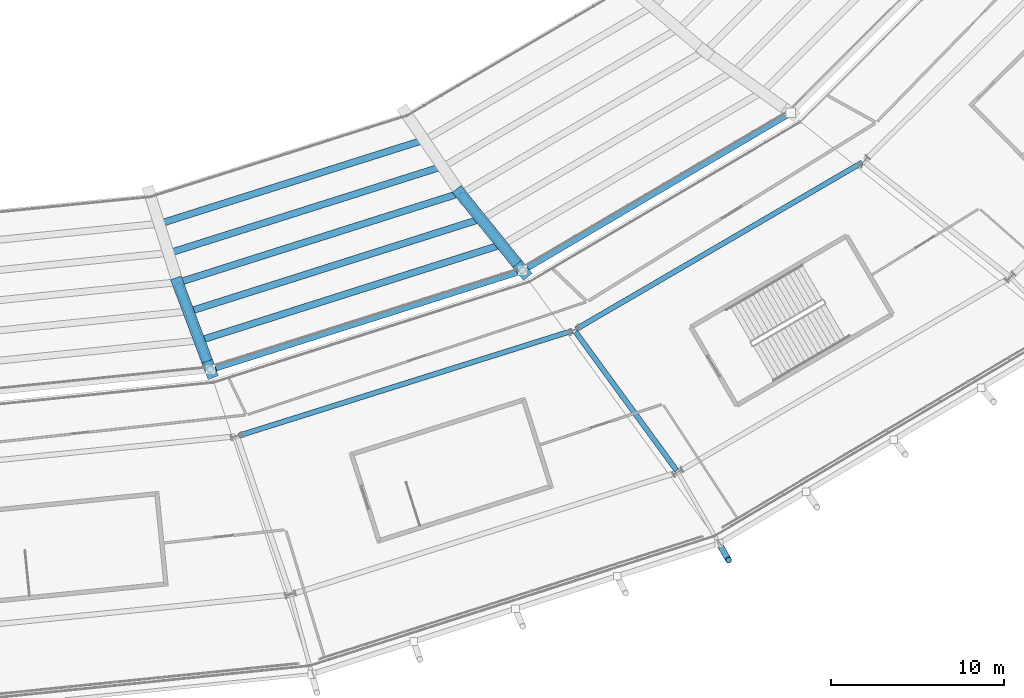
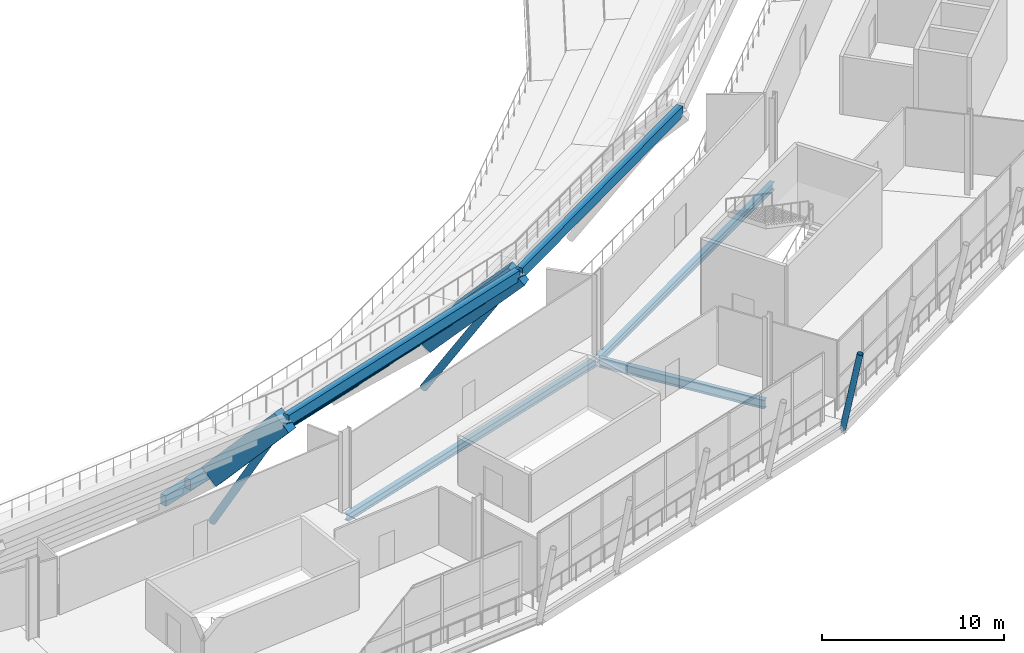
# One storey, part 36 of 126: 12 beams, 3 members.
"""IFC4 building model written with IfcOpenShell, lengths in metres."""

from ifc_helpers import new_model, si_unit, direction, frame, origin, origin_2d, place, context, subcontext, project, spatial, rectangle, hollow_circle, i_section, extrude, material, material_profile, profile_set, type_object, element, save


model = new_model("IFC4")

# Units and contexts
model_context = context("Model", 3, precision=1e-05, world=origin(), true_north=direction((0.0, 1.0)))
body_context = subcontext(model_context, "Body", "Model", "MODEL_VIEW")
ifc_project = project(units=[si_unit("LENGTHUNIT", "METRE"), si_unit("AREAUNIT", "SQUARE_METRE"), si_unit("VOLUMEUNIT", "CUBIC_METRE"), si_unit("PLANEANGLEUNIT", "RADIAN"), si_unit("MASSUNIT", "GRAM", prefix="KILO")], contexts=[model_context])

# Site, building, storey
site_placement = place(None, origin())
site = spatial("IfcSite", under=ifc_project, at=site_placement, CompositionType="ELEMENT")
building_placement = place(site_placement, origin())
building = spatial("IfcBuilding", under=site, at=building_placement, Name="Zlatoyarsky Gate Stadium", CompositionType="ELEMENT")
storey_placement = place(building_placement, frame((0.0, 0.0, 20.800048828125)))
storey = spatial("IfcBuildingStorey", under=building, at=storey_placement, Name="L04", CompositionType="ELEMENT", Elevation=20.800048828125)

# Beams
ifc_material_1 = material(Name="Concrete C40/50", Category="concrete")
ifc_material_profile_1 = material_profile(ifc_material_1, rectangle(XDim=0.39990234375, YDim=0.699951171875, at=origin_2d()), Name="RC BEAM 400X700")
ifc_profile_set_1 = profile_set([ifc_material_profile_1], Name="Concrete C40/50")
beam_type_1 = type_object("IfcBeamType", Name="CONCRETE FLOOR BEAM 400X700", PredefinedType="BEAM", material=ifc_profile_set_1)
beam_1_placement = place(storey_placement, frame((127.594970703125, 32.94140625, -5.31005859375), z_axis=(0.953318916024, 0.301965303223, 0.0), x_axis=(-0.301965303223, 0.953318916024, 0.0)))
element("IfcBeam", 1, at=beam_1_placement, inside=storey, type_object=beam_type_1, Name="Upper bowl step tie beam 19.1", PredefinedType="BEAM", context=body_context, shape_type="SweptSolid", body=[
    extrude(rectangle(XDim=0.39990234375, YDim=0.699951171875, at=origin_2d()), origin(), (0.0, 0.0, 1.0), 15.928466796875),
])
beam_2_placement = place(storey_placement, frame((128.177490234375, 31.2509765625, -3.41015625), z_axis=(0.953267025666, 0.302129074699, 0.0), x_axis=(-0.302129074699, 0.953267025666, 0.0)))
element("IfcBeam", 2, at=beam_2_placement, inside=storey, type_object=beam_type_1, Name="Upper bowl step tie beam 19.2", PredefinedType="BEAM", context=body_context, shape_type="SweptSolid", body=[
    extrude(rectangle(XDim=0.39990234375, YDim=0.699951171875, at=origin_2d()), origin(), (0.0, 0.0, 1.0), 16.498291015625),
])
beam_3_placement = place(storey_placement, frame((128.759765625, 29.560546875, -1.510009765625), z_axis=(0.953219882342, 0.302277779381, 0.0), x_axis=(-0.302277779381, 0.953219882342, 0.0)))
element("IfcBeam", 3, at=beam_3_placement, inside=storey, type_object=beam_type_1, Name="Upper bowl step tie beam 19.3", PredefinedType="BEAM", context=body_context, shape_type="SweptSolid", body=[
    extrude(rectangle(XDim=0.39990234375, YDim=0.699951171875, at=origin_2d()), origin(), (0.0, 0.0, 1.0), 17.068603515625),
])
beam_4_placement = place(storey_placement, frame((129.342041015625, 27.8701171875, 0.389892578125), z_axis=(0.953175765869, 0.302416863551, 0.0), x_axis=(-0.302416863551, 0.953175765869, 0.0)))
element("IfcBeam", 4, at=beam_4_placement, inside=storey, type_object=beam_type_1, Name="Upper bowl step tie beam 19.4", PredefinedType="BEAM", context=body_context, shape_type="SweptSolid", body=[
    extrude(rectangle(XDim=0.39990234375, YDim=0.699951171875, at=origin_2d()), origin(), (0.0, 0.0, 1.0), 17.638671875),
])
beam_5_placement = place(storey_placement, frame((129.92431640625, 26.179931640625, 2.2900390625), z_axis=(0.953138260142, 0.302535050949, 0.0), x_axis=(-0.302535050949, 0.953138260142, 0.0)))
element("IfcBeam", 5, at=beam_5_placement, inside=storey, type_object=beam_type_1, Name="Upper bowl step tie beam 19.5", PredefinedType="BEAM", context=body_context, shape_type="SweptSolid", body=[
    extrude(rectangle(XDim=0.39990234375, YDim=0.699951171875, at=origin_2d()), origin(), (0.0, 0.0, 1.0), 18.208740234375),
])
beam_6_placement = place(storey_placement, frame((130.506591796875, 24.489501953125, 4.18994140625), z_axis=(0.953099268139, 0.302657868018, 0.0), x_axis=(-0.302657868018, 0.953099268139, 0.0)))
element("IfcBeam", 6, at=beam_6_placement, inside=storey, type_object=beam_type_1, Name="Upper bowl step tie beam 19.6", PredefinedType="BEAM", context=body_context, shape_type="SweptSolid", body=[
    extrude(rectangle(XDim=0.39990234375, YDim=0.699951171875, at=origin_2d()), origin(), (0.0, 0.0, 1.0), 18.779052734375),
])
beam_7_placement = place(storey_placement, frame((148.586181640625, 30.254150390625, 4.18994140625), z_axis=(0.861910267073, 0.507060836108, 0.0), x_axis=(-0.507060836108, 0.861910267073, 0.0)))
element("IfcBeam", 7, at=beam_7_placement, inside=storey, type_object=beam_type_1, Name="Upper bowl step tie beam 20.6", PredefinedType="BEAM", context=body_context, shape_type="SweptSolid", body=[
    extrude(rectangle(XDim=0.39990234375, YDim=0.699951171875, at=origin_2d()), origin(), (0.0, 0.0, 1.0), 17.821533203125),
])
ifc_material_2 = material(Name="Precast concrete C40/50", Category="concrete")
ifc_material_profile_2 = material_profile(ifc_material_2, rectangle(XDim=0.64990234375, YDim=1.35009765625, at=origin_2d()), Name="PC RAKER 650X1350")
ifc_profile_set_2 = profile_set([ifc_material_profile_2], Name="Precast concrete C40/50")
beam_type_2 = type_object("IfcBeamType", Name="PRECAST UPPER BOWL RAKER 650X1350", PredefinedType="USERDEFINED", material=ifc_profile_set_2)
beam_8_placement = place(storey_placement, frame((128.599609375, 29.288818359375, -1.719970703125), z_axis=(0.230963388332, -0.615674133943, 0.753393173611), x_axis=(0.936286378911, 0.351237550192, 0.0)))
element("IfcBeam", 8, at=beam_8_placement, inside=storey, type_object=beam_type_2, Name="Upper bowl radial raker 19 outer", ObjectType="RAKER", PredefinedType="USERDEFINED", context=body_context, shape_type="SweptSolid", body=[
    extrude(rectangle(XDim=0.64990234375, YDim=1.35009765625, at=origin_2d()), origin(), (0.0, 0.0, 1.0), 7.844482421875),
])
beam_9_placement = place(storey_placement, frame((145.0, 34.53369140625, -1.719970703125), z_axis=(0.431059857301, -0.533292245333, 0.727864534437), x_axis=(0.777710300861, 0.628622850312, 0.0)))
element("IfcBeam", 9, at=beam_9_placement, inside=storey, type_object=beam_type_2, Name="Upper bowl radial raker 20 outer", ObjectType="RAKER", PredefinedType="USERDEFINED", context=body_context, shape_type="SweptSolid", body=[
    extrude(rectangle(XDim=0.64990234375, YDim=1.35009765625, at=origin_2d()), origin(), (0.0, 0.0, 1.0), 8.11962890625),
])

# Members
ifc_material_3 = material(Name="Steel S355", Category="steel")
ifc_material_profile_3 = material_profile(ifc_material_3, hollow_circle(Radius=0.228515625, WallThickness=0.02490234375, at=origin_2d()), Name="CHS 457X25")
ifc_profile_set_3 = profile_set([ifc_material_profile_3], Name="Steel S355")
member_type_1 = type_object("IfcMemberType", Name="STEEL BACKSPAN TIE STRUT CHS 457X25", PredefinedType="STRUT", material=ifc_profile_set_3)
member_1_placement = place(storey_placement, frame((128.599609375, 29.288818359375, -4.85009765625), z_axis=(0.17407188051, -0.464019665846, 0.86855323966), x_axis=(0.936286378911, 0.351237550192, 0.0)))
element("IfcMember", 10, at=member_1_placement, inside=storey, type_object=member_type_1, Name="Upper tier outer raker prop strut 19", PredefinedType="STRUT", context=body_context, shape_type="SweptSolid", body=[
    extrude(hollow_circle(Radius=0.228515625, WallThickness=0.02490234375, at=origin_2d()), origin(), (0.0, 0.0, 1.0), 10.408203125),
])
member_2_placement = place(storey_placement, frame((145.0, 34.53369140625, -4.85009765625), z_axis=(0.329658233585, -0.407841687421, 0.851463802538), x_axis=(0.777710300861, 0.628622850312, 0.0)))
element("IfcMember", 11, at=member_2_placement, inside=storey, type_object=member_type_1, Name="Upper tier outer raker prop strut 20", PredefinedType="STRUT", context=body_context, shape_type="SweptSolid", body=[
    extrude(hollow_circle(Radius=0.228515625, WallThickness=0.02490234375, at=origin_2d()), origin(), (0.0, 0.0, 1.0), 10.616943359375),
])
ifc_material_profile_4 = material_profile(ifc_material_3, hollow_circle(Radius=0.177734375, WallThickness=0.02001953125, at=origin_2d()), Name="CHS 355.6X20")
ifc_profile_set_4 = profile_set([ifc_material_profile_4], Name="Steel S355")
member_type_2 = type_object("IfcMemberType", Name="STEEL LEANING RIB RING STRUT CHS 355.6X20", PredefinedType="STRUT", material=ifc_profile_set_4)
member_3_placement = place(storey_placement, frame((159.884765625, 14.381591796875, -0.60009765625), z_axis=(0.09986826807, -0.172911505966, 0.979861184116), x_axis=(0.865943500606, 0.500141833641, 0.0)))
element("IfcMember", 12, at=member_3_placement, inside=storey, type_object=member_type_2, Name="Leaning ring strut 20 L04 to L05", PredefinedType="STRUT", context=body_context, shape_type="SweptSolid", body=[
    extrude(hollow_circle(Radius=0.177734375, WallThickness=0.02001953125, at=origin_2d()), origin(), (0.0, 0.0, 1.0), 5.5517578125),
])

# Beams
ifc_material_profile_5 = material_profile(ifc_material_3, i_section(OverallWidth=0.300048828125, OverallDepth=0.5, WebThickness=0.014404296875, FlangeThickness=0.028076171875, FilletRadius=0.027099609375, at=origin_2d()), Name="HEB 500")
ifc_profile_set_5 = profile_set([ifc_material_profile_5], Name="Steel S355")
beam_type_3 = type_object("IfcBeamType", Name="STEEL PRIMARY GIRDER HEB 500", PredefinedType="BEAM", material=ifc_profile_set_5)
beam_10_placement = place(storey_placement, frame((132.078857421875, 20.631591796875, -0.550048828125), z_axis=(0.953937507984, 0.300005384719, 0.0), x_axis=(-0.300005384719, 0.953937507984, 0.0)))
element("IfcBeam", 13, at=beam_10_placement, inside=storey, type_object=beam_type_3, Name="Beam G-HEB500 BM-L04-CRB-19", PredefinedType="BEAM", context=body_context, shape_type="SweptSolid", body=[
    extrude(i_section(OverallWidth=0.300048828125, OverallDepth=0.5, WebThickness=0.014404296875, FlangeThickness=0.028076171875, FilletRadius=0.027099609375, at=origin_2d()), origin(), (0.0, 0.0, 1.0), 20.239013671875),
])
beam_11_placement = place(storey_placement, frame((151.603759765625, 26.7998046875, -0.550048828125), z_axis=(0.864054462945, 0.503398336375, 0.0), x_axis=(-0.503398336375, 0.864054462945, 0.0)))
element("IfcBeam", 14, at=beam_11_placement, inside=storey, type_object=beam_type_3, Name="Beam G-HEB500 BM-L04-CRB-20", PredefinedType="BEAM", context=body_context, shape_type="SweptSolid", body=[
    extrude(i_section(OverallWidth=0.300048828125, OverallDepth=0.5, WebThickness=0.014404296875, FlangeThickness=0.028076171875, FilletRadius=0.027099609375, at=origin_2d()), origin(), (0.0, 0.0, 1.0), 19.1748046875),
])
ifc_material_profile_6 = material_profile(ifc_material_3, i_section(OverallWidth=0.300048828125, OverallDepth=0.60009765625, WebThickness=0.015380859375, FlangeThickness=0.030029296875, FilletRadius=0.027099609375, at=origin_2d()), Name="HEB 600")
ifc_profile_set_6 = profile_set([ifc_material_profile_6], Name="Steel S355")
beam_type_4 = type_object("IfcBeamType", Name="STEEL PRIMARY GIRDER HEB 600", PredefinedType="BEAM", material=ifc_profile_set_6)
beam_12_placement = place(storey_placement, frame((151.57080078125, 26.642333984375, -0.60009765625), z_axis=(0.589228266457, -0.807966614415, 0.0), x_axis=(0.807966614415, 0.589228266457, 0.0)))
element("IfcBeam", 15, at=beam_12_placement, inside=storey, type_object=beam_type_4, Name="Beam G-HEB600 BM-L04-RBC-20", PredefinedType="BEAM", context=body_context, shape_type="SweptSolid", body=[
    extrude(i_section(OverallWidth=0.300048828125, OverallDepth=0.60009765625, WebThickness=0.015380859375, FlangeThickness=0.030029296875, FilletRadius=0.027099609375, at=origin_2d()), origin(), (0.0, 0.0, 1.0), 9.9423828125),
])

save(model, "model.ifc")
